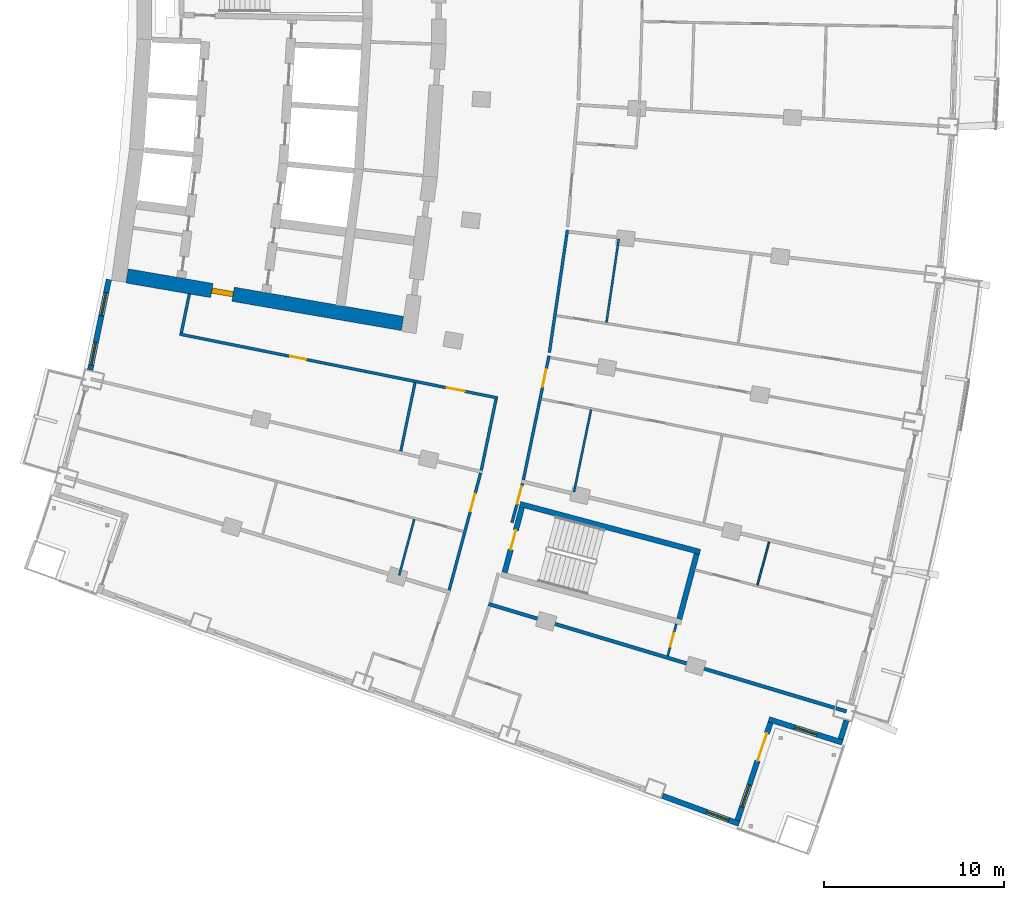
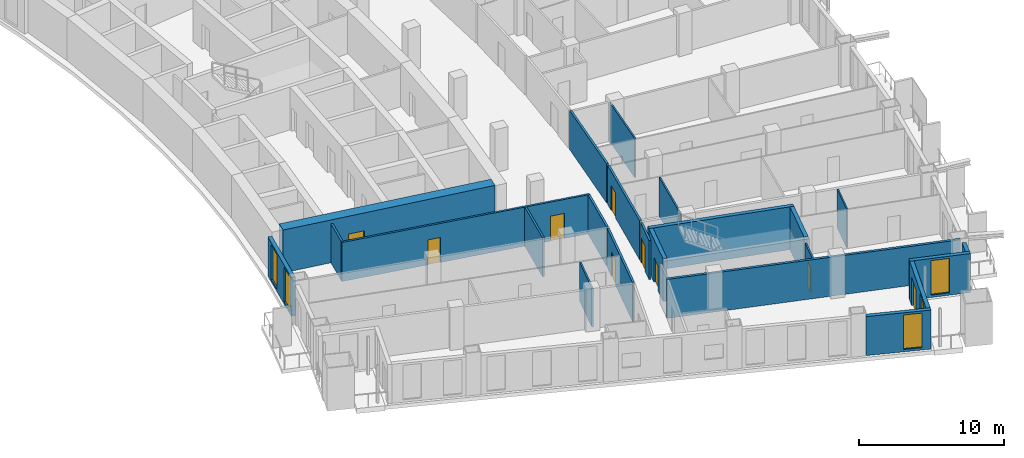
# One storey, part 14 of 25: 23 walls, 9 doors, 5 windows, 14 openings.
"""IFC4 building model written with IfcOpenShell, lengths in metres."""

from ifc_helpers import new_model, si_unit, direction, frame, frame_2d, origin, place, context, subcontext, project, spatial, rectangle, extrude, material, layer, layer_set, type_object, element, fill, save


model = new_model("IFC4")

# Units and contexts
model_context = context("Model", 3, precision=1e-05, world=origin(), true_north=direction((0.0, 1.0)))
body_context = subcontext(model_context, "Body", "Model", "MODEL_VIEW")
ifc_project = project(units=[si_unit("LENGTHUNIT", "METRE"), si_unit("AREAUNIT", "SQUARE_METRE"), si_unit("VOLUMEUNIT", "CUBIC_METRE"), si_unit("PLANEANGLEUNIT", "RADIAN"), si_unit("MASSUNIT", "GRAM", prefix="KILO")], contexts=[model_context])

# Site, building, storey
site_placement = place(None, origin())
site = spatial("IfcSite", under=ifc_project, at=site_placement, CompositionType="ELEMENT")
building_placement = place(site_placement, origin())
building = spatial("IfcBuilding", under=site, at=building_placement, Name="Alderwake Tower", CompositionType="ELEMENT")
storey_placement = place(building_placement, frame((0.0, 0.0, 86.0)))
storey = spatial("IfcBuildingStorey", under=building, at=storey_placement, Name="L20", CompositionType="ELEMENT", Elevation=86.0)

# Wall, opening, door
ifc_material_1 = material(Name="Concrete C70/85", Category="concrete")
ifc_layer_1 = layer(ifc_material_1, 0.800048828125)
ifc_layer_set_1 = layer_set([ifc_layer_1], Name="Core wall outer 800 C70-85")
wall_type_1 = type_object("IfcWallType", Name="Core wall outer 800 C70-85", PredefinedType="SHEAR", material=ifc_layer_set_1)
wall_1_placement = place(storey_placement, frame((31.20458984375, 41.776611328125, 0.0), z_axis=(0.0, 0.0, 1.0), x_axis=(-0.985386537175, 0.170333121719, 0.0)))
wall_1 = element("IfcWall", 1, at=wall_1_placement, inside=storey, type_object=wall_type_1, Name="Core wall CW.071", PredefinedType="SHEAR", context=body_context, shape_type="SweptSolid", body=[
    extrude(rectangle(XDim=15.537109375, YDim=0.800048828125, at=frame_2d((7.7685546875, 0.0))), origin(), (0.0, 0.0, 1.0), 3.60009765625),
])
opening_1_placement = place(wall_1_placement, frame((9.5537109375, 0.0, 0.0)))
opening_1 = element("IfcOpeningElement", 2, at=opening_1_placement, cuts=wall_1, Name="Opening C003", PredefinedType="OPENING", context=body_context, shape_type="SweptSolid", body=[
    extrude(rectangle(XDim=1.199951171875, YDim=2.10009765625, at=frame_2d((0.60009765625, 1.050048828125))), frame((0.0, 0.409912109375, 0.0), z_axis=(0.0, -1.0, 0.0), x_axis=(1.0, 0.0, 0.0)), (0.0, 0.0, 1.0), 0.820068359375),
])
ifc_material_2 = material(Name="Steel-framed fire door leaf", Category="steel")
door_type_1 = type_object("IfcDoorType", Name="Core lobby exit door 1200 fire-rated", OperationType="SINGLE_SWING_LEFT", PredefinedType="DOOR", material=ifc_material_2)
door_1_placement = place(opening_1_placement, origin())
door_1 = element("IfcDoor", 3, at=door_1_placement, inside=storey, type_object=door_type_1, Name="Lobby door", OperationType="SINGLE_SWING_LEFT", OverallHeight=2.10009765625, OverallWidth=1.199951171875, PredefinedType="DOOR", context=body_context, shape_type="SweptSolid", body=[
    extrude(rectangle(XDim=1.199951171875, YDim=2.10009765625, at=frame_2d((0.60009765625, 1.050048828125))), frame((0.0, 0.14990234375, 0.0), z_axis=(0.0, -1.0, 0.0), x_axis=(1.0, 0.0, 0.0)), (0.0, 0.0, 1.0), 0.300048828125),
])
fill(opening_1, door_1)

# Wall
ifc_material_3 = material(Name="Concrete C70/85", Category="concrete")
ifc_layer_2 = layer(ifc_material_3, 0.300048828125)
ifc_layer_set_2 = layer_set([ifc_layer_2], Name="Core wall stair enclosure 300 C70-85")
wall_type_2 = type_object("IfcWallType", Name="Core wall stair enclosure 300 C70-85", PredefinedType="SHEAR", material=ifc_layer_set_2)
wall_2_placement = place(storey_placement, frame((37.75390625, 31.731201171875, 0.0), z_axis=(0.0, 0.0, 1.0), x_axis=(0.966309214305, -0.257383958996, 0.0)))
element("IfcWall", 4, at=wall_2_placement, inside=storey, type_object=wall_type_2, Name="Core wall CW.086", PredefinedType="SHEAR", context=body_context, shape_type="SweptSolid", body=[
    extrude(rectangle(XDim=10.360107421875, YDim=0.300048828125, at=frame_2d((5.18017578125, 0.0))), origin(), (0.0, 0.0, 1.0), 3.60009765625),
])

# Wall, opening, door
wall_3_placement = place(storey_placement, frame((36.89501953125, 27.923828125, 0.0), z_axis=(0.0, 0.0, 1.0), x_axis=(0.257350630826, 0.966318090907, 0.0)))
wall_3 = element("IfcWall", 5, at=wall_3_placement, inside=storey, type_object=wall_type_2, Name="Core wall CW.087", PredefinedType="SHEAR", context=body_context, shape_type="SweptSolid", body=[
    extrude(rectangle(XDim=3.75, YDim=0.300048828125, at=frame_2d((1.875, 0.0))), origin(), (0.0, 0.0, 1.0), 3.60009765625),
])
opening_2_placement = place(wall_3_placement, frame((1.324951171875, 0.0, 0.0)))
opening_2 = element("IfcOpeningElement", 6, at=opening_2_placement, cuts=wall_3, Name="Opening C065", PredefinedType="OPENING", context=body_context, shape_type="SweptSolid", body=[
    extrude(rectangle(XDim=1.10009765625, YDim=2.10009765625, at=frame_2d((0.550048828125, 1.050048828125))), frame((0.0, 0.159912109375, 0.0), z_axis=(0.0, -1.0, 0.0), x_axis=(1.0, 0.0, 0.0)), (0.0, 0.0, 1.0), 0.320068359375),
])
ifc_material_4 = material(Name="Steel-framed fire door leaf", Category="steel")
door_type_2 = type_object("IfcDoorType", Name="Core stair door 1100 fire-rated", OperationType="SINGLE_SWING_LEFT", PredefinedType="DOOR", material=ifc_material_4)
door_2_placement = place(opening_2_placement, origin())
door_2 = element("IfcDoor", 7, at=door_2_placement, inside=storey, type_object=door_type_2, Name="Stair door", OperationType="SINGLE_SWING_RIGHT", OverallHeight=2.10009765625, OverallWidth=1.10009765625, PredefinedType="DOOR", context=body_context, shape_type="SweptSolid", body=[
    extrude(rectangle(XDim=1.10009765625, YDim=2.10009765625, at=frame_2d((0.550048828125, 1.050048828125))), frame((0.0, 0.02490234375, 0.0), z_axis=(0.0, -1.0, 0.0), x_axis=(1.0, 0.0, 0.0)), (0.0, 0.0, 1.0), 0.050048828125),
])
fill(opening_2, door_2)

# Wall
wall_4_placement = place(storey_placement, frame((46.6162109375, 25.334716796875, 0.0), z_axis=(0.0, 0.0, 1.0), x_axis=(0.257366821694, 0.966313778796, 0.0)))
element("IfcWall", 8, at=wall_4_placement, inside=storey, type_object=wall_type_2, Name="Core wall CW.085", PredefinedType="SHEAR", context=body_context, shape_type="SweptSolid", body=[
    extrude(rectangle(XDim=3.749755859375, YDim=0.300048828125, at=frame_2d((1.875, 0.0))), origin(), (0.0, 0.0, 1.0), 3.60009765625),
])

# Wall, openings, doors
ifc_material_5 = material(Name="Gypsum board on metal studs, rated")
ifc_layer_3 = layer(ifc_material_5, 0.159912109375)
ifc_layer_set_3 = layer_set([ifc_layer_3], Name="Corridor wall 160")
wall_type_3 = type_object("IfcWallType", Name="Corridor wall 160", PredefinedType="PARTITIONING", material=ifc_layer_set_3)
wall_5_placement = place(storey_placement, frame((36.513427734375, 37.63427734375, 0.0), z_axis=(0.0, 0.0, 1.0), x_axis=(-0.980470254867, 0.1966674333, 0.0)))
wall_5 = element("IfcWall", 9, at=wall_5_placement, inside=storey, type_object=wall_type_3, Name="WL/L20/W17", PredefinedType="PARTITIONING", context=body_context, shape_type="SweptSolid", body=[
    extrude(rectangle(XDim=18.053466796875, YDim=0.159912109375, at=frame_2d((9.02685546875, 0.0))), origin(), (0.0, 0.0, 1.0), 3.280029296875),
])
opening_3_placement = place(wall_5_placement, frame((10.876708984375, 0.0, 0.0)))
opening_3 = element("IfcOpeningElement", 10, at=opening_3_placement, cuts=wall_5, Name="Opening R05-SBS1", PredefinedType="OPENING", context=body_context, shape_type="SweptSolid", body=[
    extrude(rectangle(XDim=0.89990234375, YDim=2.10009765625, at=frame_2d((0.449951171875, 1.050048828125))), frame((0.0, 0.08984375, 0.0), z_axis=(0.0, -1.0, 0.0), x_axis=(1.0, 0.0, 0.0)), (0.0, 0.0, 1.0), 0.179931640625),
])
opening_4_placement = place(wall_5_placement, frame((1.880615234375, 0.0, 0.0)))
opening_4 = element("IfcOpeningElement", 11, at=opening_4_placement, cuts=wall_5, Name="Opening R05-SBS2", PredefinedType="OPENING", context=body_context, shape_type="SweptSolid", body=[
    extrude(rectangle(XDim=1.0, YDim=2.10009765625, at=frame_2d((0.5, 1.050048828125))), frame((0.0, 0.08984375, 0.0), z_axis=(0.0, -1.0, 0.0), x_axis=(1.0, 0.0, 0.0)), (0.0, 0.0, 1.0), 0.179931640625),
])
ifc_material_6 = material(Name="Steel-framed fire door leaf", Category="steel")
door_type_3 = type_object("IfcDoorType", Name="Plant room door 1000 fire-rated", OperationType="SINGLE_SWING_LEFT", PredefinedType="DOOR", material=ifc_material_6)
door_3_placement = place(opening_4_placement, origin())
door_3 = element("IfcDoor", 12, at=door_3_placement, inside=storey, type_object=door_type_3, Name="DR/L20/SBS2", OperationType="SINGLE_SWING_LEFT", OverallHeight=2.10009765625, OverallWidth=1.0, PredefinedType="DOOR", context=body_context, shape_type="SweptSolid", body=[
    extrude(rectangle(XDim=1.0, YDim=2.10009765625, at=frame_2d((0.5, 1.050048828125))), frame((0.0, 0.02490234375, 0.0), z_axis=(0.0, -1.0, 0.0), x_axis=(1.0, 0.0, 0.0)), (0.0, 0.0, 1.0), 0.050048828125),
])
fill(opening_4, door_3)
ifc_material_7 = material(Name="Painted timber leaf", Category="wood")
door_type_4 = type_object("IfcDoorType", Name="Room door 900", OperationType="SINGLE_SWING_LEFT", PredefinedType="DOOR", material=ifc_material_7)
door_4_placement = place(opening_3_placement, origin())
door_4 = element("IfcDoor", 13, at=door_4_placement, inside=storey, type_object=door_type_4, Name="DR/L20/SBS1", OperationType="SINGLE_SWING_LEFT", OverallHeight=2.10009765625, OverallWidth=0.89990234375, PredefinedType="DOOR", context=body_context, shape_type="SweptSolid", body=[
    extrude(rectangle(XDim=0.89990234375, YDim=2.10009765625, at=frame_2d((0.449951171875, 1.050048828125))), frame((0.0, 0.02490234375, 0.0), z_axis=(0.0, -1.0, 0.0), x_axis=(1.0, 0.0, 0.0)), (0.0, 0.0, 1.0), 0.050048828125),
])
fill(opening_3, door_4)

# Wall
wall_6_placement = place(storey_placement, frame((19.35888671875, 43.430908203125, 0.0), z_axis=(0.0, 0.0, 1.0), x_axis=(-0.202554916658, -0.979270905183, 0.0)))
element("IfcWall", 14, at=wall_6_placement, inside=storey, type_object=wall_type_3, Name="WL/L20/W19", PredefinedType="PARTITIONING", context=body_context, shape_type="SweptSolid", body=[
    extrude(rectangle(XDim=2.229736328125, YDim=0.159912109375, at=frame_2d((1.11474609375, 0.0))), origin(), (0.0, 0.0, 1.0), 3.280029296875),
])

# Wall, opening, door
wall_7_placement = place(storey_placement, frame((33.808837890625, 26.9345703125, 0.0), z_axis=(0.0, 0.0, 1.0), x_axis=(0.259298911818, 0.965797118618, 0.0)))
wall_7 = element("IfcWall", 15, at=wall_7_placement, inside=storey, type_object=wall_type_3, Name="WL/L20/W22", PredefinedType="PARTITIONING", context=body_context, shape_type="SweptSolid", body=[
    extrude(rectangle(XDim=6.75, YDim=0.159912109375, at=frame_2d((3.375, 0.0))), origin(), (0.0, 0.0, 1.0), 3.280029296875),
])
opening_5_placement = place(wall_7_placement, frame((4.5576171875, 0.0, 0.0)))
opening_5 = element("IfcOpeningElement", 16, at=opening_5_placement, cuts=wall_7, Name="Opening R05-U10.2", PredefinedType="OPENING", context=body_context, shape_type="SweptSolid", body=[
    extrude(rectangle(XDim=1.0, YDim=2.10009765625, at=frame_2d((0.5, 1.050048828125))), frame((0.0, 0.08984375, 0.0), z_axis=(0.0, -1.0, 0.0), x_axis=(1.0, 0.0, 0.0)), (0.0, 0.0, 1.0), 0.179931640625),
])
ifc_material_8 = material(Name="Solid timber leaf in steel frame", Category="steel")
door_type_5 = type_object("IfcDoorType", Name="Flat entrance door 1000 fire-rated", OperationType="SINGLE_SWING_LEFT", PredefinedType="DOOR", material=ifc_material_8)
door_5_placement = place(opening_5_placement, origin())
door_5 = element("IfcDoor", 17, at=door_5_placement, inside=storey, type_object=door_type_5, Name="DR/L20/U10.2", OperationType="SINGLE_SWING_LEFT", OverallHeight=2.10009765625, OverallWidth=1.0, PredefinedType="DOOR", context=body_context, shape_type="SweptSolid", body=[
    extrude(rectangle(XDim=1.0, YDim=2.10009765625, at=frame_2d((0.5, 1.050048828125))), frame((0.0, 0.02490234375, 0.0), z_axis=(0.0, -1.0, 0.0), x_axis=(1.0, 0.0, 0.0)), (0.0, 0.0, 1.0), 0.050048828125),
])
fill(opening_5, door_5)

# Wall
wall_8_placement = place(storey_placement, frame((36.418701171875, 37.57177734375, 0.0), z_axis=(0.0, 0.0, 1.0), x_axis=(-0.203245920818, -0.979127721838, 0.0)))
element("IfcWall", 18, at=wall_8_placement, inside=storey, type_object=wall_type_3, Name="WL/L20/W28", PredefinedType="PARTITIONING", context=body_context, shape_type="SweptSolid", body=[
    extrude(rectangle(XDim=4.046875, YDim=0.159912109375, at=frame_2d((2.0234375, 0.0))), origin(), (0.0, 0.0, 1.0), 3.280029296875),
])

# Wall, opening, door
wall_9_placement = place(storey_placement, frame((37.89111328125, 32.87939453125, 0.0), z_axis=(0.0, 0.0, 1.0), x_axis=(-0.259620578816, -0.965710699462, 0.0)))
wall_9 = element("IfcWall", 19, at=wall_9_placement, inside=storey, type_object=wall_type_3, Name="WL/L20/W31", PredefinedType="PARTITIONING", context=body_context, shape_type="SweptSolid", body=[
    extrude(rectangle(XDim=2.2578125, YDim=0.159912109375, at=frame_2d((1.12890625, 0.0))), origin(), (0.0, 0.0, 1.0), 3.280029296875),
])
opening_6_placement = place(wall_9_placement, frame((0.1708984375, 0.0, 0.0)))
opening_6 = element("IfcOpeningElement", 20, at=opening_6_placement, cuts=wall_9, Name="Opening R05-U01.1", PredefinedType="OPENING", context=body_context, shape_type="SweptSolid", body=[
    extrude(rectangle(XDim=1.0, YDim=2.10009765625, at=frame_2d((0.5, 1.050048828125))), frame((0.0, 0.08984375, 0.0), z_axis=(0.0, -1.0, 0.0), x_axis=(1.0, 0.0, 0.0)), (0.0, 0.0, 1.0), 0.179931640625),
])
door_6_placement = place(opening_6_placement, origin())
door_6 = element("IfcDoor", 21, at=door_6_placement, inside=storey, type_object=door_type_5, Name="DR/L20/U01.1", OperationType="SINGLE_SWING_LEFT", OverallHeight=2.10009765625, OverallWidth=1.0, PredefinedType="DOOR", context=body_context, shape_type="SweptSolid", body=[
    extrude(rectangle(XDim=1.0, YDim=2.10009765625, at=frame_2d((0.5, 1.050048828125))), frame((0.0, 0.02490234375, 0.0), z_axis=(0.0, -1.0, 0.0), x_axis=(1.0, 0.0, 0.0)), (0.0, 0.0, 1.0), 0.050048828125),
])
fill(opening_6, door_6)

wall_10_placement = place(storey_placement, frame((39.3642578125, 39.975341796875, 0.0), z_axis=(0.0, 0.0, 1.0), x_axis=(-0.202487611378, -0.979284824368, 0.0)))
wall_10 = element("IfcWall", 22, at=wall_10_placement, inside=storey, type_object=wall_type_3, Name="WL/L20/W32", PredefinedType="PARTITIONING", context=body_context, shape_type="SweptSolid", body=[
    extrude(rectangle(XDim=7.04736328125, YDim=0.159912109375, at=frame_2d((3.523681640625, 0.0))), origin(), (0.0, 0.0, 1.0), 3.280029296875),
])
opening_7_placement = place(wall_10_placement, frame((0.7568359375, 0.0, 0.0)))
opening_7 = element("IfcOpeningElement", 23, at=opening_7_placement, cuts=wall_10, Name="Opening R05-U05.2", PredefinedType="OPENING", context=body_context, shape_type="SweptSolid", body=[
    extrude(rectangle(XDim=1.0, YDim=2.10009765625, at=frame_2d((0.5, 1.050048828125))), frame((0.0, 0.08984375, 0.0), z_axis=(0.0, -1.0, 0.0), x_axis=(1.0, 0.0, 0.0)), (0.0, 0.0, 1.0), 0.179931640625),
])
door_7_placement = place(opening_7_placement, origin())
door_7 = element("IfcDoor", 24, at=door_7_placement, inside=storey, type_object=door_type_5, Name="DR/L20/U05.2", OperationType="SINGLE_SWING_LEFT", OverallHeight=2.10009765625, OverallWidth=1.0, PredefinedType="DOOR", context=body_context, shape_type="SweptSolid", body=[
    extrude(rectangle(XDim=1.0, YDim=2.10009765625, at=frame_2d((0.5, 1.050048828125))), frame((0.0, 0.02490234375, 0.0), z_axis=(0.0, -1.0, 0.0), x_axis=(1.0, 0.0, 0.0)), (0.0, 0.0, 1.0), 0.050048828125),
])
fill(opening_7, door_7)

# Walls
wall_11_placement = place(storey_placement, frame((39.38671875, 40.160888671875, 0.0), z_axis=(0.0, 0.0, 1.0), x_axis=(0.145535848078, 0.989352978933, 0.0)))
element("IfcWall", 25, at=wall_11_placement, inside=storey, type_object=wall_type_3, Name="WL/L20/W34", PredefinedType="PARTITIONING", context=body_context, shape_type="SweptSolid", body=[
    extrude(rectangle(XDim=6.884521484375, YDim=0.159912109375, at=frame_2d((3.4423828125, 0.0))), origin(), (0.0, 0.0, 1.0), 3.280029296875),
])
ifc_material_9 = material(Name="Precast concrete C50/60 spandrel panel", Category="concrete")
ifc_layer_4 = layer(ifc_material_9, 0.300048828125)
ifc_layer_set_4 = layer_set([ifc_layer_4], Name="External wall EW1 Precast concrete C50/60 spandrel")
wall_type_4 = type_object("IfcWallType", Name="External wall EW1 Precast concrete C50/60 spandrel", PredefinedType="SOLIDWALL", material=ifc_layer_set_4)
wall_12_placement = place(storey_placement, frame((55.587890625, 18.65185546875, 0.0), z_axis=(0.0, 0.0, 1.0), x_axis=(0.294384726771, 0.955686995121, 0.0)))
element("IfcWall", 26, at=wall_12_placement, inside=storey, type_object=wall_type_4, Name="External wall 11", PredefinedType="SOLIDWALL", context=body_context, shape_type="SweptSolid", body=[
    extrude(rectangle(XDim=1.090576171875, YDim=0.300048828125, at=frame_2d((0.54541015625, 0.0))), origin(), (0.0, 0.0, 1.0), 3.280029296875),
])

# Wall, openings, windows
wall_13_placement = place(storey_placement, frame((14.878173828125, 44.223388671875, 0.0), z_axis=(0.0, 0.0, 1.0), x_axis=(-0.202723539143, -0.979236011734, 0.0)))
wall_13 = element("IfcWall", 27, at=wall_13_placement, inside=storey, type_object=wall_type_4, Name="External wall 35", PredefinedType="SOLIDWALL", context=body_context, shape_type="SweptSolid", body=[
    extrude(rectangle(XDim=5.134033203125, YDim=0.300048828125, at=frame_2d((2.56689453125, 0.0))), origin(), (0.0, 0.0, 1.0), 3.280029296875),
])
opening_8_placement = place(wall_13_placement, frame((0.75634765625, 0.0, 0.199951171875)))
opening_8 = element("IfcOpeningElement", 28, at=opening_8_placement, cuts=wall_13, Name="Opening W1", PredefinedType="OPENING", context=body_context, shape_type="SweptSolid", body=[
    extrude(rectangle(XDim=1.300048828125, YDim=2.89990234375, at=frame_2d((0.64990234375, 1.449951171875))), frame((0.0, 0.159912109375, 0.0), z_axis=(0.0, -1.0, 0.0), x_axis=(1.0, 0.0, 0.0)), (0.0, 0.0, 1.0), 0.320068359375),
])
opening_9_placement = place(wall_13_placement, frame((3.569091796875, 0.0, 0.199951171875)))
opening_9 = element("IfcOpeningElement", 29, at=opening_9_placement, cuts=wall_13, Name="Opening W1", PredefinedType="OPENING", context=body_context, shape_type="SweptSolid", body=[
    extrude(rectangle(XDim=1.300048828125, YDim=2.89990234375, at=frame_2d((0.64990234375, 1.449951171875))), frame((0.0, 0.159912109375, 0.0), z_axis=(0.0, -1.0, 0.0), x_axis=(1.0, 0.0, 0.0)), (0.0, 0.0, 1.0), 0.320068359375),
])
ifc_material_10 = material(Name="Bronze tinted glass in aluminium frame", Category="aluminium")
window_type = type_object("IfcWindowType", Name="Window W1 tall fixed and vent", PartitioningType="DOUBLE_PANEL_VERTICAL", PredefinedType="WINDOW", material=ifc_material_10)
window_1_placement = place(opening_8_placement, origin())
window_1 = element("IfcWindow", 30, at=window_1_placement, inside=storey, type_object=window_type, Name="Window W1 tall fixed and vent", OverallHeight=2.89990234375, OverallWidth=1.300048828125, PartitioningType="DOUBLE_PANEL_VERTICAL", PredefinedType="WINDOW", context=body_context, shape_type="SweptSolid", body=[
    extrude(rectangle(XDim=1.300048828125, YDim=2.89990234375, at=frame_2d((0.64990234375, 1.449951171875))), frame((0.0, 0.030029296875, 0.0), z_axis=(0.0, -1.0, 0.0), x_axis=(1.0, 0.0, 0.0)), (0.0, 0.0, 1.0), 0.06005859375),
])
fill(opening_8, window_1)
window_2_placement = place(opening_9_placement, origin())
window_2 = element("IfcWindow", 31, at=window_2_placement, inside=storey, type_object=window_type, Name="Window W1 tall fixed and vent", OverallHeight=2.89990234375, OverallWidth=1.300048828125, PartitioningType="DOUBLE_PANEL_VERTICAL", PredefinedType="WINDOW", context=body_context, shape_type="SweptSolid", body=[
    extrude(rectangle(XDim=1.300048828125, YDim=2.89990234375, at=frame_2d((0.64990234375, 1.449951171875))), frame((0.0, 0.030029296875, 0.0), z_axis=(0.0, -1.0, 0.0), x_axis=(1.0, 0.0, 0.0)), (0.0, 0.0, 1.0), 0.06005859375),
])
fill(opening_9, window_2)

# Wall, opening, window
ifc_material_11 = material(Name="Bronze metal cladding on lightweight framing")
ifc_layer_5 = layer(ifc_material_11, 0.300048828125)
ifc_layer_set_5 = layer_set([ifc_layer_5], Name="External wall EW2 bronze metal cladding")
wall_type_5 = type_object("IfcWallType", Name="External wall EW2 bronze metal cladding", PredefinedType="SOLIDWALL", material=ifc_layer_set_5)
wall_14_placement = place(storey_placement, frame((45.675537109375, 15.49755859375, 0.0), z_axis=(0.0, 0.0, 1.0), x_axis=(0.939362271598, -0.342926410032, 0.0)))
wall_14 = element("IfcWall", 32, at=wall_14_placement, inside=storey, type_object=wall_type_5, Name="External wall 8", PredefinedType="SOLIDWALL", context=body_context, shape_type="SweptSolid", body=[
    extrude(rectangle(XDim=4.537841796875, YDim=0.300048828125, at=frame_2d((2.26904296875, 0.0))), origin(), (0.0, 0.0, 1.0), 3.280029296875),
])
opening_10_placement = place(wall_14_placement, frame((2.62158203125, 0.0, 0.199951171875)))
opening_10 = element("IfcOpeningElement", 33, at=opening_10_placement, cuts=wall_14, Name="Opening W1", PredefinedType="OPENING", context=body_context, shape_type="SweptSolid", body=[
    extrude(rectangle(XDim=1.300048828125, YDim=2.89990234375, at=frame_2d((0.64990234375, 1.449951171875))), frame((0.0, 0.159912109375, 0.0), z_axis=(0.0, -1.0, 0.0), x_axis=(1.0, 0.0, 0.0)), (0.0, 0.0, 1.0), 0.320068359375),
])
window_3_placement = place(opening_10_placement, origin())
window_3 = element("IfcWindow", 34, at=window_3_placement, inside=storey, type_object=window_type, Name="Window W1 tall fixed and vent", OverallHeight=2.89990234375, OverallWidth=1.300048828125, PartitioningType="DOUBLE_PANEL_VERTICAL", PredefinedType="WINDOW", context=body_context, shape_type="SweptSolid", body=[
    extrude(rectangle(XDim=1.300048828125, YDim=2.89990234375, at=frame_2d((0.64990234375, 1.449951171875))), frame((0.0, 0.030029296875, 0.0), z_axis=(0.0, -1.0, 0.0), x_axis=(1.0, 0.0, 0.0)), (0.0, 0.0, 1.0), 0.06005859375),
])
fill(opening_10, window_3)

# Wall, openings, door, window
wall_15_placement = place(storey_placement, frame((49.845458984375, 14.135009765625, 0.0), z_axis=(0.0, 0.0, 1.0), x_axis=(0.320869198021, 0.94712351769, 0.0)))
wall_15 = element("IfcWall", 35, at=wall_15_placement, inside=storey, type_object=wall_type_5, Name="External wall 9", PredefinedType="SOLIDWALL", context=body_context, shape_type="SweptSolid", body=[
    extrude(rectangle(XDim=5.7392578125, YDim=0.300048828125, at=frame_2d((2.86962890625, 0.0))), origin(), (0.0, 0.0, 1.0), 3.280029296875),
])
opening_11_placement = place(wall_15_placement, frame((0.784912109375, 0.0, 0.199951171875)))
opening_11 = element("IfcOpeningElement", 36, at=opening_11_placement, cuts=wall_15, Name="Opening W1", PredefinedType="OPENING", context=body_context, shape_type="SweptSolid", body=[
    extrude(rectangle(XDim=1.300048828125, YDim=2.89990234375, at=frame_2d((0.64990234375, 1.449951171875))), frame((0.0, 0.159912109375, 0.0), z_axis=(0.0, -1.0, 0.0), x_axis=(1.0, 0.0, 0.0)), (0.0, 0.0, 1.0), 0.320068359375),
])
opening_12_placement = place(wall_15_placement, frame((3.50439453125, 0.0, 0.0)))
opening_12 = element("IfcOpeningElement", 37, at=opening_12_placement, cuts=wall_15, Name="Opening D02", PredefinedType="OPENING", context=body_context, shape_type="SweptSolid", body=[
    extrude(rectangle(XDim=1.60009765625, YDim=2.39990234375, at=frame_2d((0.800048828125, 1.199951171875))), frame((0.0, 0.159912109375, 0.0), z_axis=(0.0, -1.0, 0.0), x_axis=(1.0, 0.0, 0.0)), (0.0, 0.0, 1.0), 0.320068359375),
])
ifc_material_12 = material(Name="Bronze tinted glass in aluminium frame", Category="aluminium")
door_type_6 = type_object("IfcDoorType", Name="Terrace door TD sliding", OperationType="SLIDING_TO_LEFT", PredefinedType="DOOR", material=ifc_material_12)
door_8_placement = place(opening_12_placement, origin())
door_8 = element("IfcDoor", 38, at=door_8_placement, inside=storey, type_object=door_type_6, Name="Door D02", OperationType="SLIDING_TO_LEFT", OverallHeight=2.39990234375, OverallWidth=1.60009765625, PredefinedType="DOOR", context=body_context, shape_type="SweptSolid", body=[
    extrude(rectangle(XDim=1.60009765625, YDim=2.39990234375, at=frame_2d((0.800048828125, 1.199951171875))), frame((0.0, 0.02490234375, 0.0), z_axis=(0.0, -1.0, 0.0), x_axis=(1.0, 0.0, 0.0)), (0.0, 0.0, 1.0), 0.050048828125),
])
fill(opening_12, door_8)
window_4_placement = place(opening_11_placement, origin())
window_4 = element("IfcWindow", 39, at=window_4_placement, inside=storey, type_object=window_type, Name="Window W1 tall fixed and vent", OverallHeight=2.89990234375, OverallWidth=1.300048828125, PartitioningType="DOUBLE_PANEL_VERTICAL", PredefinedType="WINDOW", context=body_context, shape_type="SweptSolid", body=[
    extrude(rectangle(XDim=1.300048828125, YDim=2.89990234375, at=frame_2d((0.64990234375, 1.449951171875))), frame((0.0, 0.030029296875, 0.0), z_axis=(0.0, -1.0, 0.0), x_axis=(1.0, 0.0, 0.0)), (0.0, 0.0, 1.0), 0.06005859375),
])
fill(opening_11, window_4)

# Wall, opening, window
wall_16_placement = place(storey_placement, frame((51.592041015625, 19.758056640625, 0.0), z_axis=(0.0, 0.0, 1.0), x_axis=(0.95345886453, -0.301523122911, 0.0)))
wall_16 = element("IfcWall", 40, at=wall_16_placement, inside=storey, type_object=wall_type_5, Name="External wall 10", PredefinedType="SOLIDWALL", context=body_context, shape_type="SweptSolid", body=[
    extrude(rectangle(XDim=4.294677734375, YDim=0.300048828125, at=frame_2d((2.1474609375, 0.0))), origin(), (0.0, 0.0, 1.0), 3.280029296875),
])
opening_13_placement = place(wall_16_placement, frame((1.497314453125, 0.0, 0.199951171875)))
opening_13 = element("IfcOpeningElement", 41, at=opening_13_placement, cuts=wall_16, Name="Opening W1", PredefinedType="OPENING", context=body_context, shape_type="SweptSolid", body=[
    extrude(rectangle(XDim=1.300048828125, YDim=2.89990234375, at=frame_2d((0.64990234375, 1.449951171875))), frame((0.0, 0.159912109375, 0.0), z_axis=(0.0, -1.0, 0.0), x_axis=(1.0, 0.0, 0.0)), (0.0, 0.0, 1.0), 0.320068359375),
])
window_5_placement = place(opening_13_placement, origin())
window_5 = element("IfcWindow", 42, at=window_5_placement, inside=storey, type_object=window_type, Name="Window W1 tall fixed and vent", OverallHeight=2.89990234375, OverallWidth=1.300048828125, PartitioningType="DOUBLE_PANEL_VERTICAL", PredefinedType="WINDOW", context=body_context, shape_type="SweptSolid", body=[
    extrude(rectangle(XDim=1.300048828125, YDim=2.89990234375, at=frame_2d((0.64990234375, 1.449951171875))), frame((0.0, 0.030029296875, 0.0), z_axis=(0.0, -1.0, 0.0), x_axis=(1.0, 0.0, 0.0)), (0.0, 0.0, 1.0), 0.06005859375),
])
fill(opening_13, window_5)

# Walls
ifc_material_13 = material(Name="Dense block masonry wall", Category="masonry")
ifc_layer_6 = layer(ifc_material_13, 0.199951171875)
ifc_layer_set_6 = layer_set([ifc_layer_6], Name="Party wall 200")
wall_type_6 = type_object("IfcWallType", Name="Party wall 200", PredefinedType="SOLIDWALL", material=ifc_layer_set_6)
wall_17_placement = place(storey_placement, frame((36.00439453125, 26.1708984375, 0.0), z_axis=(0.0, 0.0, 1.0), x_axis=(0.957776151967, -0.287514943479, 0.0)))
element("IfcWall", 43, at=wall_17_placement, inside=storey, type_object=wall_type_6, Name="WL/L20/W05", PredefinedType="SOLIDWALL", context=body_context, shape_type="SweptSolid", body=[
    extrude(rectangle(XDim=20.781005859375, YDim=0.199951171875, at=frame_2d((10.390625, 0.0))), origin(), (0.0, 0.0, 1.0), 3.280029296875),
])
ifc_material_14 = material(Name="Gypsum shaft wall system, rated")
ifc_layer_7 = layer(ifc_material_14, 0.14990234375)
ifc_layer_set_7 = layer_set([ifc_layer_7], Name="Riser and shaft wall 150")
wall_type_7 = type_object("IfcWallType", Name="Riser and shaft wall 150", PredefinedType="PARTITIONING", material=ifc_layer_set_7)
wall_18_placement = place(storey_placement, frame((31.120361328125, 34.67138671875, 0.0), z_axis=(0.0, 0.0, 1.0), x_axis=(0.203103989328, 0.979157173042, 0.0)))
element("IfcWall", 44, at=wall_18_placement, inside=storey, type_object=wall_type_7, Name="WL/L20/W11", PredefinedType="PARTITIONING", context=body_context, shape_type="SweptSolid", body=[
    extrude(rectangle(XDim=3.887451171875, YDim=0.14990234375, at=frame_2d((1.94384765625, 0.0))), origin(), (0.0, 0.0, 1.0), 3.280029296875),
])
ifc_material_15 = material(Name="Gypsum board on metal studs")
ifc_layer_8 = layer(ifc_material_15, 0.10009765625)
ifc_layer_set_8 = layer_set([ifc_layer_8], Name="Unit partition 100")
wall_type_8 = type_object("IfcWallType", Name="Unit partition 100", PredefinedType="PARTITIONING", material=ifc_layer_set_8)
wall_19_placement = place(storey_placement, frame((50.9619140625, 27.225341796875, 0.0), z_axis=(0.0, 0.0, 1.0), x_axis=(0.260249003849, 0.965541535096, 0.0)))
element("IfcWall", 45, at=wall_19_placement, inside=storey, type_object=wall_type_8, Name="WL/L20/W80", PredefinedType="PARTITIONING", context=body_context, shape_type="SweptSolid", body=[
    extrude(rectangle(XDim=2.478515625, YDim=0.10009765625, at=frame_2d((1.2392578125, 0.0))), origin(), (0.0, 0.0, 1.0), 3.280029296875),
])
ifc_material_16 = material(Name="Moisture resistant gypsum board on metal studs")
ifc_layer_9 = layer(ifc_material_16, 0.1201171875)
ifc_layer_set_9 = layer_set([ifc_layer_9], Name="Wet room partition 120")
wall_type_9 = type_object("IfcWallType", Name="Wet room partition 120", PredefinedType="PARTITIONING", material=ifc_layer_set_9)
wall_20_placement = place(storey_placement, frame((31.867919921875, 30.8876953125, 0.0), z_axis=(0.0, 0.0, 1.0), x_axis=(-0.259149206489, -0.96583729933, 0.0)))
element("IfcWall", 46, at=wall_20_placement, inside=storey, type_object=wall_type_9, Name="WL/L20/W48", PredefinedType="PARTITIONING", context=body_context, shape_type="SweptSolid", body=[
    extrude(rectangle(XDim=3.2294921875, YDim=0.1201171875, at=frame_2d((1.61474609375, 0.0))), origin(), (0.0, 0.0, 1.0), 3.280029296875),
])
wall_21_placement = place(storey_placement, frame((40.75732421875, 32.402099609375, 0.0), z_axis=(0.0, 0.0, 1.0), x_axis=(0.202555554597, 0.97927077323, 0.0)))
element("IfcWall", 47, at=wall_21_placement, inside=storey, type_object=wall_type_9, Name="WL/L20/W54", PredefinedType="PARTITIONING", context=body_context, shape_type="SweptSolid", body=[
    extrude(rectangle(XDim=4.677734375, YDim=0.1201171875, at=frame_2d((2.3388671875, 0.0))), origin(), (0.0, 0.0, 1.0), 3.280029296875),
])
wall_22_placement = place(storey_placement, frame((42.562255859375, 41.83056640625, 0.0), z_axis=(0.0, 0.0, 1.0), x_axis=(0.145519444166, 0.989355391843, 0.0)))
element("IfcWall", 48, at=wall_22_placement, inside=storey, type_object=wall_type_9, Name="WL/L20/W56", PredefinedType="PARTITIONING", context=body_context, shape_type="SweptSolid", body=[
    extrude(rectangle(XDim=4.6943359375, YDim=0.1201171875, at=frame_2d((2.34716796875, 0.0))), origin(), (0.0, 0.0, 1.0), 3.280029296875),
])

# Wall, opening, door
wall_23_placement = place(storey_placement, frame((45.970947265625, 23.28369140625, 0.0), z_axis=(0.0, 0.0, 1.0), x_axis=(0.258764710752, 0.965940383497, 0.0)))
wall_23 = element("IfcWall", 49, at=wall_23_placement, inside=storey, type_object=wall_type_9, Name="WL/L20/W62", PredefinedType="PARTITIONING", context=body_context, shape_type="SweptSolid", body=[
    extrude(rectangle(XDim=1.847412109375, YDim=0.1201171875, at=frame_2d((0.923828125, 0.0))), origin(), (0.0, 0.0, 1.0), 3.280029296875),
])
opening_14_placement = place(wall_23_placement, frame((0.523681640625, 0.0, 0.0)))
opening_14 = element("IfcOpeningElement", 50, at=opening_14_placement, cuts=wall_23, Name="Opening R05-U01.4", PredefinedType="OPENING", context=body_context, shape_type="SweptSolid", body=[
    extrude(rectangle(XDim=0.800048828125, YDim=2.10009765625, at=frame_2d((0.39990234375, 1.050048828125))), frame((0.0, 0.070068359375, 0.0), z_axis=(0.0, -1.0, 0.0), x_axis=(1.0, 0.0, 0.0)), (0.0, 0.0, 1.0), 0.14013671875),
])
ifc_material_17 = material(Name="Painted timber leaf", Category="wood")
door_type_7 = type_object("IfcDoorType", Name="Bathroom door 800", OperationType="SINGLE_SWING_LEFT", PredefinedType="DOOR", material=ifc_material_17)
door_9_placement = place(opening_14_placement, origin())
door_9 = element("IfcDoor", 51, at=door_9_placement, inside=storey, type_object=door_type_7, Name="DR/L20/U01.4", OperationType="SINGLE_SWING_LEFT", OverallHeight=2.10009765625, OverallWidth=0.800048828125, PredefinedType="DOOR", context=body_context, shape_type="SweptSolid", body=[
    extrude(rectangle(XDim=0.800048828125, YDim=2.10009765625, at=frame_2d((0.39990234375, 1.050048828125))), frame((0.0, 0.02490234375, 0.0), z_axis=(0.0, -1.0, 0.0), x_axis=(1.0, 0.0, 0.0)), (0.0, 0.0, 1.0), 0.050048828125),
])
fill(opening_14, door_9)

save(model, "model.ifc")
